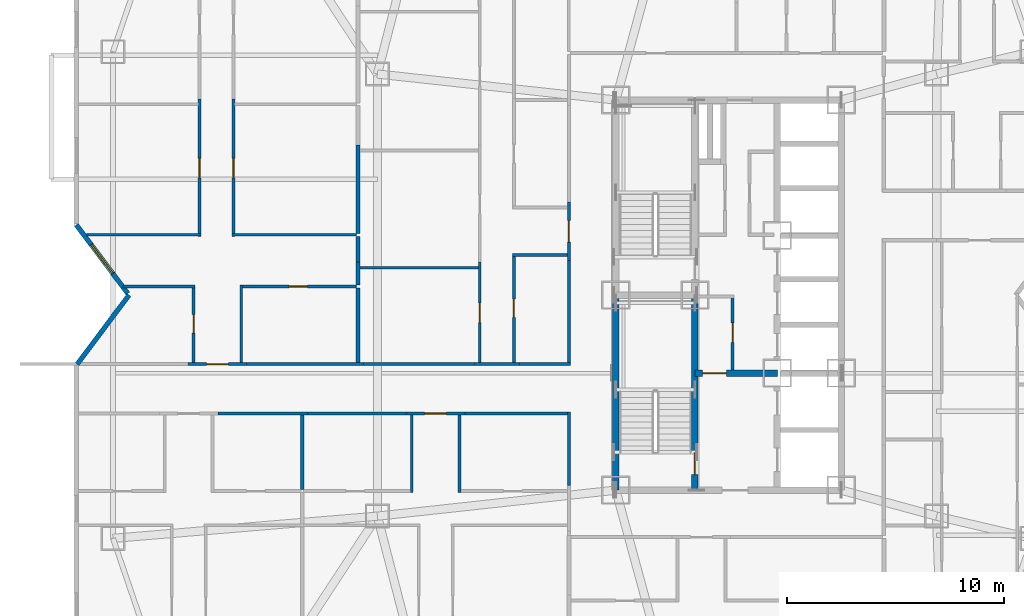
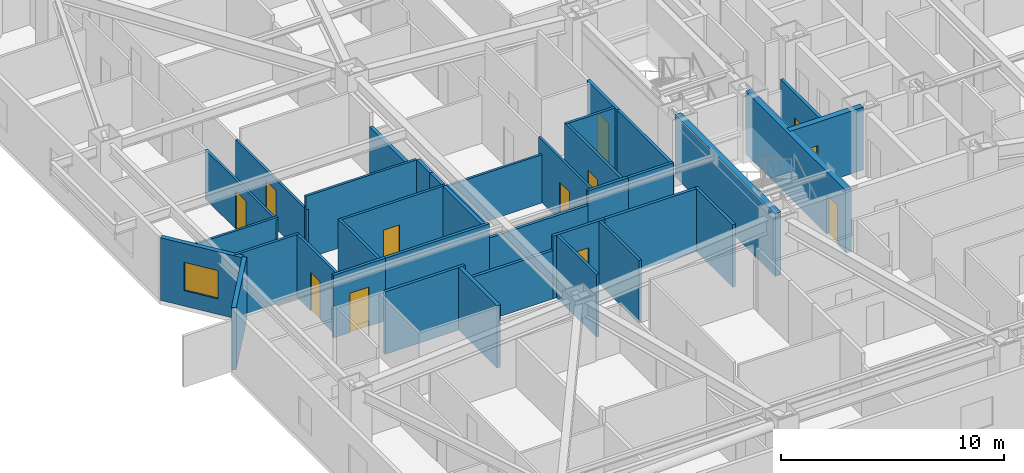
# One storey, part 8 of 14: 37 walls, 12 doors, 1 window, 13 openings.
"""IFC4 building model written with IfcOpenShell, lengths in metres."""

from ifc_helpers import new_model, si_unit, direction, frame, frame_2d, origin, place, context, subcontext, project, spatial, rectangle, extrude, material, layer, layer_set, type_object, element, fill, save


model = new_model("IFC4")

# Units and contexts
model_context = context("Model", 3, precision=1e-05, world=origin(), true_north=direction((0.0, 1.0)))
body_context = subcontext(model_context, "Body", "Model", "MODEL_VIEW")
ifc_project = project(units=[si_unit("LENGTHUNIT", "METRE"), si_unit("AREAUNIT", "SQUARE_METRE"), si_unit("VOLUMEUNIT", "CUBIC_METRE"), si_unit("PLANEANGLEUNIT", "RADIAN"), si_unit("MASSUNIT", "GRAM", prefix="KILO")], contexts=[model_context])

# Site, building, storey
site_placement = place(None, origin())
site = spatial("IfcSite", under=ifc_project, at=site_placement, CompositionType="ELEMENT")
building_placement = place(site_placement, origin())
building = spatial("IfcBuilding", under=site, at=building_placement, Name="Khamvora Tower", CompositionType="ELEMENT")
storey_placement = place(building_placement, frame((0.0, 0.0, 51.550048828125)))
storey = spatial("IfcBuildingStorey", under=building, at=storey_placement, Name="L12", CompositionType="ELEMENT", Elevation=51.550048828125)

# Wall
ifc_material_1 = material(Name="Concrete C50/60", Category="concrete")
ifc_layer_1 = layer(ifc_material_1, 0.300048828125)
ifc_layer_set_1 = layer_set([ifc_layer_1], Name="Concrete C50/60")
wall_type_1 = type_object("IfcWallType", Name="WAL-CORE-300", PredefinedType="SHEAR", material=ifc_layer_set_1)
wall_1_placement = place(storey_placement, frame((29.0, 19.0, 0.0), z_axis=(0.0, 0.0, 1.0), x_axis=(0.0, 1.0, 0.0)))
element("IfcWall", 1, at=wall_1_placement, inside=storey, type_object=wall_type_1, Name="L12 central core west south wall", PredefinedType="SHEAR", context=body_context, shape_type="SweptSolid", body=[
    extrude(rectangle(XDim=9.0, YDim=0.300048828125, at=frame_2d((4.5, 0.0))), origin(), (0.0, 0.0, 1.0), 3.429931640625),
])

# Wall, opening, door
wall_2_placement = place(storey_placement, frame((32.64990234375, 19.0, 0.0), z_axis=(0.0, 0.0, 1.0), x_axis=(0.0, 1.0, 0.0)))
wall_2 = element("IfcWall", 2, at=wall_2_placement, inside=storey, type_object=wall_type_1, Name="L12 central core stair south spine wall", PredefinedType="SHEAR", context=body_context, shape_type="SweptSolid", body=[
    extrude(rectangle(XDim=9.0, YDim=0.300048828125, at=frame_2d((4.5, 0.0))), origin(), (0.0, 0.0, 1.0), 3.429931640625),
])
opening_1_placement = place(wall_2_placement, frame((0.719970703125, 0.0, 0.0)))
opening_1 = element("IfcOpeningElement", 3, at=opening_1_placement, cuts=wall_2, Name="Opening D-ST1", PredefinedType="OPENING", context=body_context, shape_type="SweptSolid", body=[
    extrude(rectangle(XDim=1.0, YDim=2.14990234375, at=frame_2d((0.5, 1.074951171875))), frame((0.0, 0.159912109375, 0.0), z_axis=(0.0, -1.0, 0.0), x_axis=(1.0, 0.0, 0.0)), (0.0, 0.0, 1.0), 0.320068359375),
])
ifc_material_2 = material(Name="Powder-Coated Steel and Hardwood Leaf", Category="steel")
door_type_1 = type_object("IfcDoorType", Name="DOR-STAIR-1000", OperationType="NOTDEFINED", PredefinedType="DOOR", material=ifc_material_2)
door_1_placement = place(opening_1_placement, origin())
door_1 = element("IfcDoor", 4, at=door_1_placement, inside=storey, type_object=door_type_1, Name="L12 exit stair ST-01 fire door", OperationType="SINGLE_SWING_RIGHT", OverallHeight=2.14990234375, OverallWidth=1.0, PredefinedType="DOOR", context=body_context, shape_type="SweptSolid", body=[
    extrude(rectangle(XDim=1.0, YDim=2.14990234375, at=frame_2d((0.5, 1.074951171875))), frame((0.0, 0.02490234375, 0.0), z_axis=(0.0, -1.0, 0.0), x_axis=(1.0, 0.0, 0.0)), (0.0, 0.0, 1.0), 0.050048828125),
])
fill(opening_1, door_1)

wall_3_placement = place(storey_placement, frame((32.64990234375, 24.39990234375, 0.0), z_axis=(0.0, 0.0, 1.0), x_axis=(1.0, 0.0, 0.0)))
wall_3 = element("IfcWall", 5, at=wall_3_placement, inside=storey, type_object=wall_type_1, Name="L12 central core firefighting lobby north wall", PredefinedType="SHEAR", context=body_context, shape_type="SweptSolid", body=[
    extrude(rectangle(XDim=3.800048828125, YDim=0.300048828125, at=frame_2d((1.89990234375, 0.0))), origin(), (0.0, 0.0, 1.0), 3.429931640625),
])
opening_2_placement = place(wall_3_placement, frame((0.35009765625, 0.0, 0.0)))
opening_2 = element("IfcOpeningElement", 6, at=opening_2_placement, cuts=wall_3, Name="Opening D-FF1", PredefinedType="OPENING", context=body_context, shape_type="SweptSolid", body=[
    extrude(rectangle(XDim=1.10009765625, YDim=2.14990234375, at=frame_2d((0.550048828125, 1.074951171875))), frame((0.0, 0.159912109375, 0.0), z_axis=(0.0, -1.0, 0.0), x_axis=(1.0, 0.0, 0.0)), (0.0, 0.0, 1.0), 0.320068359375),
])
door_type_2 = type_object("IfcDoorType", Name="DOR-FFLOB-1100", OperationType="NOTDEFINED", PredefinedType="DOOR", material=ifc_material_2)
door_2_placement = place(opening_2_placement, origin())
door_2 = element("IfcDoor", 7, at=door_2_placement, inside=storey, type_object=door_type_2, Name="L12 firefighting lobby smoke-seal fire door", OperationType="SINGLE_SWING_LEFT", OverallHeight=2.14990234375, OverallWidth=1.10009765625, PredefinedType="DOOR", context=body_context, shape_type="SweptSolid", body=[
    extrude(rectangle(XDim=1.10009765625, YDim=2.14990234375, at=frame_2d((0.550048828125, 1.074951171875))), frame((0.0, 0.02490234375, 0.0), z_axis=(0.0, -1.0, 0.0), x_axis=(1.0, 0.0, 0.0)), (0.0, 0.0, 1.0), 0.050048828125),
])
fill(opening_2, door_2)

ifc_material_3 = material(Name="Fire-Rated Drywall and Steel Stud", Category="steel")
ifc_layer_2 = layer(ifc_material_3, 0.14990234375)
ifc_layer_set_2 = layer_set([ifc_layer_2], Name="Fire-Rated Drywall and Steel Stud")
wall_type_2 = type_object("IfcWallType", Name="WAL-CORR-150", PredefinedType="STANDARD", material=ifc_layer_set_2)
wall_4_placement = place(storey_placement, frame((34.385009765625, 24.5439453125, 0.0), z_axis=(0.0, 0.0, 1.0), x_axis=(0.0, 1.0, 0.0)))
wall_4 = element("IfcWall", 8, at=wall_4_placement, inside=storey, type_object=wall_type_2, Name="L12 interior partition wall 006", PredefinedType="STANDARD", context=body_context, shape_type="SweptSolid", body=[
    extrude(rectangle(XDim=3.4560546875, YDim=0.14990234375, at=frame_2d((1.72802734375, 0.0))), origin(), (0.0, 0.0, 1.0), 3.429931640625),
])
opening_3_placement = place(wall_4_placement, frame((1.278076171875, 0.0, 0.0)))
opening_3 = element("IfcOpeningElement", 9, at=opening_3_placement, cuts=wall_4, Name="Opening D-RM1", PredefinedType="OPENING", context=body_context, shape_type="SweptSolid", body=[
    extrude(rectangle(XDim=0.89990234375, YDim=2.10009765625, at=frame_2d((0.449951171875, 1.050048828125))), frame((0.0, 0.0849609375, 0.0), z_axis=(0.0, -1.0, 0.0), x_axis=(1.0, 0.0, 0.0)), (0.0, 0.0, 1.0), 0.169921875),
])
door_type_3 = type_object("IfcDoorType", Name="DOR-ROOM-900", OperationType="NOTDEFINED", PredefinedType="DOOR", material=ifc_material_2)
door_3_placement = place(opening_3_placement, origin())
door_3 = element("IfcDoor", 10, at=door_3_placement, inside=storey, type_object=door_type_3, Name="L12 interior door PLL-CS3", OperationType="SINGLE_SWING_RIGHT", OverallHeight=2.10009765625, OverallWidth=0.89990234375, PredefinedType="DOOR", context=body_context, shape_type="SweptSolid", body=[
    extrude(rectangle(XDim=0.89990234375, YDim=2.10009765625, at=frame_2d((0.449951171875, 1.050048828125))), frame((0.0, 0.02490234375, 0.0), z_axis=(0.0, -1.0, 0.0), x_axis=(1.0, 0.0, 0.0)), (0.0, 0.0, 1.0), 0.050048828125),
])
fill(opening_3, door_3)

# Wall
wall_5_placement = place(storey_placement, frame((14.782958984375, 22.534912109375, 0.0), z_axis=(0.0, 0.0, 1.0), x_axis=(-1.0, 0.0, 0.0)))
element("IfcWall", 11, at=wall_5_placement, inside=storey, type_object=wall_type_2, Name="L12 interior partition wall 010", PredefinedType="STANDARD", context=body_context, shape_type="SweptSolid", body=[
    extrude(rectangle(XDim=4.14501953125, YDim=0.14990234375, at=frame_2d((2.072509765625, 0.0))), origin(), (0.0, 0.0, 1.0), 3.429931640625),
])

# Wall, opening, door
wall_6_placement = place(storey_placement, frame((22.032958984375, 22.534912109375, 0.0), z_axis=(0.0, 0.0, 1.0), x_axis=(-1.0, 0.0, 0.0)))
wall_6 = element("IfcWall", 12, at=wall_6_placement, inside=storey, type_object=wall_type_2, Name="L12 interior partition wall 013", PredefinedType="STANDARD", context=body_context, shape_type="SweptSolid", body=[
    extrude(rectangle(XDim=2.697998046875, YDim=0.14990234375, at=frame_2d((1.34912109375, 0.0))), origin(), (0.0, 0.0, 1.0), 3.429931640625),
])
opening_4_placement = place(wall_6_placement, frame((0.84912109375, 0.0, 0.0)))
opening_4 = element("IfcOpeningElement", 13, at=opening_4_placement, cuts=wall_6, Name="Opening D-U1", PredefinedType="OPENING", context=body_context, shape_type="SweptSolid", body=[
    extrude(rectangle(XDim=1.0, YDim=2.14990234375, at=frame_2d((0.5, 1.074951171875))), frame((0.0, 0.0849609375, 0.0), z_axis=(0.0, -1.0, 0.0), x_axis=(1.0, 0.0, 0.0)), (0.0, 0.0, 1.0), 0.169921875),
])
door_type_4 = type_object("IfcDoorType", Name="DOR-UNIT-1000", OperationType="NOTDEFINED", PredefinedType="DOOR", material=ifc_material_2)
door_4_placement = place(opening_4_placement, origin())
door_4 = element("IfcDoor", 14, at=door_4_placement, inside=storey, type_object=door_type_4, Name="L12 interior door COR-12WA2H", OperationType="SINGLE_SWING_LEFT", OverallHeight=2.14990234375, OverallWidth=1.0, PredefinedType="DOOR", context=body_context, shape_type="SweptSolid", body=[
    extrude(rectangle(XDim=1.0, YDim=2.14990234375, at=frame_2d((0.5, 1.074951171875))), frame((0.0, 0.02490234375, 0.0), z_axis=(0.0, -1.0, 0.0), x_axis=(1.0, 0.0, 0.0)), (0.0, 0.0, 1.0), 0.050048828125),
])
fill(opening_4, door_4)

# Walls
wall_7_placement = place(storey_placement, frame((26.8349609375, 19.2041015625, 0.0), z_axis=(0.0, 0.0, 1.0), x_axis=(0.0, 1.0, 0.0)))
element("IfcWall", 15, at=wall_7_placement, inside=storey, type_object=wall_type_2, Name="L12 interior partition wall 014", PredefinedType="STANDARD", context=body_context, shape_type="SweptSolid", body=[
    extrude(rectangle(XDim=3.39599609375, YDim=0.14990234375, at=frame_2d((1.697998046875, 0.0))), origin(), (0.0, 0.0, 1.0), 3.429931640625),
])
wall_8_placement = place(storey_placement, frame((26.89794921875, 22.534912109375, 0.0), z_axis=(0.0, 0.0, 1.0), x_axis=(-1.0, 0.0, 0.0)))
element("IfcWall", 16, at=wall_8_placement, inside=storey, type_object=wall_type_2, Name="L12 interior partition wall 015", PredefinedType="STANDARD", context=body_context, shape_type="SweptSolid", body=[
    extrude(rectangle(XDim=4.864990234375, YDim=0.14990234375, at=frame_2d((2.4326171875, 0.0))), origin(), (0.0, 0.0, 1.0), 3.429931640625),
])
wall_9_placement = place(storey_placement, frame((19.3349609375, 22.534912109375, 0.0), z_axis=(0.0, 0.0, 1.0), x_axis=(-1.0, 0.0, 0.0)))
element("IfcWall", 17, at=wall_9_placement, inside=storey, type_object=wall_type_2, Name="L12 interior partition wall 016", PredefinedType="STANDARD", context=body_context, shape_type="SweptSolid", body=[
    extrude(rectangle(XDim=4.552001953125, YDim=0.14990234375, at=frame_2d((2.27587890625, 0.0))), origin(), (0.0, 0.0, 1.0), 2.64697265625),
])

# Wall, opening, door
wall_10_placement = place(storey_placement, frame((9.27001953125, 24.81494140625, 0.0), z_axis=(0.0, 0.0, 1.0), x_axis=(1.0, 0.0, 0.0)))
wall_10 = element("IfcWall", 18, at=wall_10_placement, inside=storey, type_object=wall_type_2, Name="L12 interior partition wall 018", PredefinedType="STANDARD", context=body_context, shape_type="SweptSolid", body=[
    extrude(rectangle(XDim=2.697998046875, YDim=0.14990234375, at=frame_2d((1.34912109375, 0.0))), origin(), (0.0, 0.0, 1.0), 3.429931640625),
])
opening_5_placement = place(wall_10_placement, frame((0.84912109375, 0.0, 0.0)))
opening_5 = element("IfcOpeningElement", 19, at=opening_5_placement, cuts=wall_10, Name="Opening D-U1", PredefinedType="OPENING", context=body_context, shape_type="SweptSolid", body=[
    extrude(rectangle(XDim=1.0, YDim=2.14990234375, at=frame_2d((0.5, 1.074951171875))), frame((0.0, 0.0849609375, 0.0), z_axis=(0.0, -1.0, 0.0), x_axis=(1.0, 0.0, 0.0)), (0.0, 0.0, 1.0), 0.169921875),
])
door_5_placement = place(opening_5_placement, origin())
door_5 = element("IfcDoor", 20, at=door_5_placement, inside=storey, type_object=door_type_4, Name="L12 interior door COR-12WBH", OperationType="SINGLE_SWING_RIGHT", OverallHeight=2.14990234375, OverallWidth=1.0, PredefinedType="DOOR", context=body_context, shape_type="SweptSolid", body=[
    extrude(rectangle(XDim=1.0, YDim=2.14990234375, at=frame_2d((0.5, 1.074951171875))), frame((0.0, 0.02490234375, 0.0), z_axis=(0.0, -1.0, 0.0), x_axis=(1.0, 0.0, 0.0)), (0.0, 0.0, 1.0), 0.050048828125),
])
fill(opening_5, door_5)

# Wall
wall_11_placement = place(storey_placement, frame((11.968017578125, 24.81494140625, 0.0), z_axis=(0.0, 0.0, 1.0), x_axis=(1.0, 0.0, 0.0)))
element("IfcWall", 21, at=wall_11_placement, inside=storey, type_object=wall_type_2, Name="L12 interior partition wall 020", PredefinedType="STANDARD", context=body_context, shape_type="SweptSolid", body=[
    extrude(rectangle(XDim=5.385986328125, YDim=0.14990234375, at=frame_2d((2.69287109375, 0.0))), origin(), (0.0, 0.0, 1.0), 3.429931640625),
])

# Wall, opening, door
wall_12_placement = place(storey_placement, frame((26.8349609375, 29.592041015625, 0.0), z_axis=(0.0, 0.0, 1.0), x_axis=(0.0, 1.0, 0.0)))
wall_12 = element("IfcWall", 22, at=wall_12_placement, inside=storey, type_object=wall_type_2, Name="L12 interior partition wall 022", PredefinedType="STANDARD", context=body_context, shape_type="SweptSolid", body=[
    extrude(rectangle(XDim=2.697998046875, YDim=0.14990234375, at=frame_2d((1.34912109375, 0.0))), origin(), (0.0, 0.0, 1.0), 3.429931640625),
])
opening_6_placement = place(wall_12_placement, frame((0.84912109375, 0.0, 0.0)))
opening_6 = element("IfcOpeningElement", 23, at=opening_6_placement, cuts=wall_12, Name="Opening D-U1", PredefinedType="OPENING", context=body_context, shape_type="SweptSolid", body=[
    extrude(rectangle(XDim=1.0, YDim=2.14990234375, at=frame_2d((0.5, 1.074951171875))), frame((0.0, 0.0849609375, 0.0), z_axis=(0.0, -1.0, 0.0), x_axis=(1.0, 0.0, 0.0)), (0.0, 0.0, 1.0), 0.169921875),
])
door_6_placement = place(opening_6_placement, origin())
door_6 = element("IfcDoor", 24, at=door_6_placement, inside=storey, type_object=door_type_4, Name="L12 interior door COR-12WCH", OperationType="SINGLE_SWING_LEFT", OverallHeight=2.14990234375, OverallWidth=1.0, PredefinedType="DOOR", context=body_context, shape_type="SweptSolid", body=[
    extrude(rectangle(XDim=1.0, YDim=2.14990234375, at=frame_2d((0.5, 1.074951171875))), frame((0.0, 0.02490234375, 0.0), z_axis=(0.0, -1.0, 0.0), x_axis=(1.0, 0.0, 0.0)), (0.0, 0.0, 1.0), 0.050048828125),
])
fill(opening_6, door_6)

# Walls
wall_13_placement = place(storey_placement, frame((22.468017578125, 24.81494140625, 0.0), z_axis=(0.0, 0.0, 1.0), x_axis=(1.0, 0.0, 0.0)))
element("IfcWall", 25, at=wall_13_placement, inside=storey, type_object=wall_type_2, Name="L12 interior partition wall 023", PredefinedType="STANDARD", context=body_context, shape_type="SweptSolid", body=[
    extrude(rectangle(XDim=2.077880859375, YDim=0.14990234375, at=frame_2d((1.0390625, 0.0))), origin(), (0.0, 0.0, 1.0), 3.429931640625),
])
wall_14_placement = place(storey_placement, frame((26.8349609375, 24.75, 0.0), z_axis=(0.0, 0.0, 1.0), x_axis=(0.0, 1.0, 0.0)))
element("IfcWall", 26, at=wall_14_placement, inside=storey, type_object=wall_type_2, Name="L12 interior partition wall 025", PredefinedType="STANDARD", context=body_context, shape_type="SweptSolid", body=[
    extrude(rectangle(XDim=4.842041015625, YDim=0.14990234375, at=frame_2d((2.4208984375, 0.0))), origin(), (0.0, 0.0, 1.0), 3.429931640625),
])
wall_15_placement = place(storey_placement, frame((24.5458984375, 24.81494140625, 0.0), z_axis=(0.0, 0.0, 1.0), x_axis=(1.0, 0.0, 0.0)))
element("IfcWall", 27, at=wall_15_placement, inside=storey, type_object=wall_type_2, Name="L12 interior partition wall 026", PredefinedType="STANDARD", context=body_context, shape_type="SweptSolid", body=[
    extrude(rectangle(XDim=2.35205078125, YDim=0.14990234375, at=frame_2d((1.176025390625, 0.0))), origin(), (0.0, 0.0, 1.0), 3.429931640625),
])
wall_16_placement = place(storey_placement, frame((17.35400390625, 24.81494140625, 0.0), z_axis=(0.0, 0.0, 1.0), x_axis=(1.0, 0.0, 0.0)))
element("IfcWall", 28, at=wall_16_placement, inside=storey, type_object=wall_type_2, Name="L12 interior partition wall 027", PredefinedType="STANDARD", context=body_context, shape_type="SweptSolid", body=[
    extrude(rectangle(XDim=5.114013671875, YDim=0.14990234375, at=frame_2d((2.55712890625, 0.0))), origin(), (0.0, 0.0, 1.0), 2.64697265625),
])
ifc_material_4 = material(Name="Acoustic Double-Stud Fire Wall", Category="gypsum")
ifc_layer_3 = layer(ifc_material_4, 0.179931640625)
ifc_layer_set_3 = layer_set([ifc_layer_3], Name="Acoustic Double-Stud Fire Wall")
wall_type_3 = type_object("IfcWallType", Name="WAL-CORR-180", PredefinedType="STANDARD", material=ifc_layer_set_3)
wall_17_placement = place(storey_placement, frame((14.533935546875, 22.469970703125, 0.0), z_axis=(0.0, 0.0, 1.0), x_axis=(0.0, -1.0, 0.0)))
element("IfcWall", 29, at=wall_17_placement, inside=storey, type_object=wall_type_3, Name="L12 interior partition wall 059", PredefinedType="STANDARD", context=body_context, shape_type="SweptSolid", body=[
    extrude(rectangle(XDim=3.449951171875, YDim=0.179931640625, at=frame_2d((1.72509765625, 0.0))), origin(), (0.0, 0.0, 1.0), 3.429931640625),
])
wall_18_placement = place(storey_placement, frame((17.10498046875, 29.51904296875, 0.0), z_axis=(0.0, 0.0, 1.0), x_axis=(0.0, -1.0, 0.0)))
element("IfcWall", 30, at=wall_18_placement, inside=storey, type_object=wall_type_3, Name="L12 interior partition wall 096", PredefinedType="STANDARD", context=body_context, shape_type="SweptSolid", body=[
    extrude(rectangle(XDim=1.05908203125, YDim=0.179931640625, at=frame_2d((0.529541015625, 0.0))), origin(), (0.0, 0.0, 1.0), 3.429931640625),
])
wall_19_placement = place(storey_placement, frame((17.10498046875, 30.7099609375, 0.0), z_axis=(0.0, 0.0, 1.0), x_axis=(0.0, -1.0, 0.0)))
element("IfcWall", 31, at=wall_19_placement, inside=storey, type_object=wall_type_3, Name="L12 interior partition wall 097", PredefinedType="STANDARD", context=body_context, shape_type="SweptSolid", body=[
    extrude(rectangle(XDim=1.19091796875, YDim=0.179931640625, at=frame_2d((0.595458984375, 0.0))), origin(), (0.0, 0.0, 1.0), 3.429931640625),
])
wall_20_placement = place(storey_placement, frame((17.10498046875, 28.330078125, 0.0), z_axis=(0.0, 0.0, 1.0), x_axis=(0.0, -1.0, 0.0)))
element("IfcWall", 32, at=wall_20_placement, inside=storey, type_object=wall_type_3, Name="L12 interior partition wall 098", PredefinedType="STANDARD", context=body_context, shape_type="SweptSolid", body=[
    extrude(rectangle(XDim=3.447998046875, YDim=0.179931640625, at=frame_2d((1.72412109375, 0.0))), origin(), (0.0, 0.0, 1.0), 3.429931640625),
])
wall_21_placement = place(storey_placement, frame((17.10498046875, 34.9189453125, 0.0), z_axis=(0.0, 0.0, 1.0), x_axis=(0.0, -1.0, 0.0)))
element("IfcWall", 33, at=wall_21_placement, inside=storey, type_object=wall_type_3, Name="L12 interior partition wall 103", PredefinedType="STANDARD", context=body_context, shape_type="SweptSolid", body=[
    extrude(rectangle(XDim=4.078857421875, YDim=0.179931640625, at=frame_2d((2.03955078125, 0.0))), origin(), (0.0, 0.0, 1.0), 2.68701171875),
])
ifc_material_5 = material(Name="Precast concrete C40/50", Category="concrete")
ifc_layer_4 = layer(ifc_material_5, 0.219970703125)
ifc_layer_set_4 = layer_set([ifc_layer_4], Name="Precast concrete C40/50")
wall_type_4 = type_object("IfcWallType", Name="WAL-EXT-220", PredefinedType="STANDARD", material=ifc_layer_set_4)
wall_22_placement = place(storey_placement, frame((4.14501953125, 24.80908203125, 0.0), z_axis=(0.0, 0.0, 1.0), x_axis=(0.599823674734, 0.800132213592, 0.0)))
element("IfcWall", 34, at=wall_22_placement, inside=storey, type_object=wall_type_4, Name="L12 exterior facade wall 03.1", PredefinedType="STANDARD", context=body_context, shape_type="SweptSolid", body=[
    extrude(rectangle(XDim=3.988037109375, YDim=0.219970703125, at=frame_2d((1.994140625, 0.0))), origin(), (0.0, 0.0, 1.0), 3.429931640625),
])

# Wall, opening, window
wall_23_placement = place(storey_placement, frame((6.47998046875, 28.076904296875, 0.0), z_axis=(0.0, 0.0, 1.0), x_axis=(-0.599960442794, 0.800029666377, 0.0)))
wall_23 = element("IfcWall", 35, at=wall_23_placement, inside=storey, type_object=wall_type_4, Name="L12 exterior facade wall 04.1", PredefinedType="STANDARD", context=body_context, shape_type="SweptSolid", body=[
    extrude(rectangle(XDim=3.949951171875, YDim=0.219970703125, at=frame_2d((1.97509765625, 0.0))), origin(), (0.0, 0.0, 1.0), 3.429931640625),
])
opening_7_placement = place(wall_23_placement, frame((1.14990234375, 0.0, 0.85009765625)))
opening_7 = element("IfcOpeningElement", 36, at=opening_7_placement, cuts=wall_23, Name="Opening WN-06", PredefinedType="OPENING", context=body_context, shape_type="SweptSolid", body=[
    extrude(rectangle(XDim=1.64990234375, YDim=1.550048828125, at=frame_2d((0.824951171875, 0.77490234375))), frame((0.0, 0.119873046875, 0.0), z_axis=(0.0, -1.0, 0.0), x_axis=(1.0, 0.0, 0.0)), (0.0, 0.0, 1.0), 0.239990234375),
])
ifc_material_6 = material(Name="Low-E Laminated Double Glazing", Category="glass")
window_type = type_object("IfcWindowType", Name="WIN-VIS-1650x1550", PartitioningType="SINGLE_PANEL", PredefinedType="WINDOW", material=ifc_material_6)
window_placement = place(opening_7_placement, origin())
window = element("IfcWindow", 37, at=window_placement, inside=storey, type_object=window_type, Name="L12 vision window 04.1.01", OverallHeight=1.550048828125, OverallWidth=1.64990234375, PartitioningType="SINGLE_PANEL", PredefinedType="WINDOW", context=body_context, shape_type="SweptSolid", body=[
    extrude(rectangle(XDim=1.64990234375, YDim=1.550048828125, at=frame_2d((0.824951171875, 0.77490234375))), frame((0.0, 0.030029296875, 0.0), z_axis=(0.0, -1.0, 0.0), x_axis=(1.0, 0.0, 0.0)), (0.0, 0.0, 1.0), 0.06005859375),
])
fill(opening_7, window)

# Wall, opening, door
ifc_material_7 = material(Name="Gypsum Plasterboard Partition", Category="gypsum")
ifc_layer_5 = layer(ifc_material_7, 0.1201171875)
ifc_layer_set_5 = layer_set([ifc_layer_5], Name="Gypsum Plasterboard Partition")
wall_type_5 = type_object("IfcWallType", Name="WAL-PART-120", PredefinedType="PARTITIONING", material=ifc_layer_set_5)
wall_24_placement = place(storey_placement, frame((9.7900390625, 30.7099609375, 0.0), z_axis=(0.0, 0.0, 1.0), x_axis=(0.0, 1.0, 0.0)))
wall_24 = element("IfcWall", 38, at=wall_24_placement, inside=storey, type_object=wall_type_5, Name="L12 interior partition wall 086", PredefinedType="PARTITIONING", context=body_context, shape_type="SweptSolid", body=[
    extrude(rectangle(XDim=6.34814453125, YDim=0.1201171875, at=frame_2d((3.174072265625, 0.0))), origin(), (0.0, 0.0, 1.0), 2.68701171875),
])
opening_8_placement = place(wall_24_placement, frame((2.701904296875, 0.0, 0.0)))
opening_8 = element("IfcOpeningElement", 39, at=opening_8_placement, cuts=wall_24, Name="Opening D-RM1", PredefinedType="OPENING", context=body_context, shape_type="SweptSolid", body=[
    extrude(rectangle(XDim=0.89990234375, YDim=2.10009765625, at=frame_2d((0.449951171875, 1.050048828125))), frame((0.0, 0.070068359375, 0.0), z_axis=(0.0, -1.0, 0.0), x_axis=(1.0, 0.0, 0.0)), (0.0, 0.0, 1.0), 0.14013671875),
])
door_7_placement = place(opening_8_placement, origin())
door_7 = element("IfcDoor", 40, at=door_7_placement, inside=storey, type_object=door_type_3, Name="L12 interior door 12WBH-12WBL", OperationType="SINGLE_SWING_LEFT", OverallHeight=2.10009765625, OverallWidth=0.89990234375, PredefinedType="DOOR", context=body_context, shape_type="SweptSolid", body=[
    extrude(rectangle(XDim=0.89990234375, YDim=2.10009765625, at=frame_2d((0.449951171875, 1.050048828125))), frame((0.0, 0.02490234375, 0.0), z_axis=(0.0, -1.0, 0.0), x_axis=(1.0, 0.0, 0.0)), (0.0, 0.0, 1.0), 0.050048828125),
])
fill(opening_8, door_7)

# Wall
wall_25_placement = place(storey_placement, frame((4.568115234375, 30.77490234375, 0.0), z_axis=(0.0, 0.0, 1.0), x_axis=(1.0, 0.0, 0.0)))
element("IfcWall", 41, at=wall_25_placement, inside=storey, type_object=wall_type_5, Name="L12 interior partition wall 087", PredefinedType="PARTITIONING", context=body_context, shape_type="SweptSolid", body=[
    extrude(rectangle(XDim=5.286865234375, YDim=0.1201171875, at=frame_2d((2.6435546875, 0.0))), origin(), (0.0, 0.0, 1.0), 2.802978515625),
])

# Wall, opening, door
wall_26_placement = place(storey_placement, frame((11.360107421875, 37.05810546875, 0.0), z_axis=(0.0, 0.0, 1.0), x_axis=(0.0, -1.0, 0.0)))
wall_26 = element("IfcWall", 42, at=wall_26_placement, inside=storey, type_object=wall_type_5, Name="L12 interior partition wall 091", PredefinedType="PARTITIONING", context=body_context, shape_type="SweptSolid", body=[
    extrude(rectangle(XDim=6.34814453125, YDim=0.1201171875, at=frame_2d((3.174072265625, 0.0))), origin(), (0.0, 0.0, 1.0), 2.68701171875),
])
opening_9_placement = place(wall_26_placement, frame((2.7451171875, 0.0, 0.0)))
opening_9 = element("IfcOpeningElement", 43, at=opening_9_placement, cuts=wall_26, Name="Opening D-RM1", PredefinedType="OPENING", context=body_context, shape_type="SweptSolid", body=[
    extrude(rectangle(XDim=0.89990234375, YDim=2.10009765625, at=frame_2d((0.449951171875, 1.050048828125))), frame((0.0, 0.070068359375, 0.0), z_axis=(0.0, -1.0, 0.0), x_axis=(1.0, 0.0, 0.0)), (0.0, 0.0, 1.0), 0.14013671875),
])
door_8_placement = place(opening_9_placement, origin())
door_8 = element("IfcDoor", 44, at=door_8_placement, inside=storey, type_object=door_type_3, Name="L12 interior door 12WBH-12WBR5", OperationType="SINGLE_SWING_RIGHT", OverallHeight=2.10009765625, OverallWidth=0.89990234375, PredefinedType="DOOR", context=body_context, shape_type="SweptSolid", body=[
    extrude(rectangle(XDim=0.89990234375, YDim=2.10009765625, at=frame_2d((0.449951171875, 1.050048828125))), frame((0.0, 0.02490234375, 0.0), z_axis=(0.0, -1.0, 0.0), x_axis=(1.0, 0.0, 0.0)), (0.0, 0.0, 1.0), 0.050048828125),
])
fill(opening_9, door_8)

# Wall
wall_27_placement = place(storey_placement, frame((11.294921875, 30.77490234375, 0.0), z_axis=(0.0, 0.0, 1.0), x_axis=(1.0, 0.0, 0.0)))
element("IfcWall", 45, at=wall_27_placement, inside=storey, type_object=wall_type_5, Name="L12 interior partition wall 092", PredefinedType="PARTITIONING", context=body_context, shape_type="SweptSolid", body=[
    extrude(rectangle(XDim=5.7451171875, YDim=0.1201171875, at=frame_2d((2.87255859375, 0.0))), origin(), (0.0, 0.0, 1.0), 3.429931640625),
])

# Wall, opening, door
wall_28_placement = place(storey_placement, frame((22.717041015625, 24.882080078125, 0.0), z_axis=(0.0, 0.0, 1.0), x_axis=(0.0, 1.0, 0.0)))
wall_28 = element("IfcWall", 46, at=wall_28_placement, inside=storey, type_object=wall_type_5, Name="L12 interior partition wall 118", PredefinedType="PARTITIONING", context=body_context, shape_type="SweptSolid", body=[
    extrude(rectangle(XDim=4.636962890625, YDim=0.1201171875, at=frame_2d((2.318359375, 0.0))), origin(), (0.0, 0.0, 1.0), 3.429931640625),
])
opening_10_placement = place(wall_28_placement, frame((1.846923828125, 0.0, 0.0)))
opening_10 = element("IfcOpeningElement", 47, at=opening_10_placement, cuts=wall_28, Name="Opening D-RM1", PredefinedType="OPENING", context=body_context, shape_type="SweptSolid", body=[
    extrude(rectangle(XDim=0.89990234375, YDim=2.10009765625, at=frame_2d((0.449951171875, 1.050048828125))), frame((0.0, 0.070068359375, 0.0), z_axis=(0.0, -1.0, 0.0), x_axis=(1.0, 0.0, 0.0)), (0.0, 0.0, 1.0), 0.14013671875),
])
door_9_placement = place(opening_10_placement, origin())
door_9 = element("IfcDoor", 48, at=door_9_placement, inside=storey, type_object=door_type_3, Name="L12 interior door 12WCH-12WCL", OperationType="SINGLE_SWING_LEFT", OverallHeight=2.10009765625, OverallWidth=0.89990234375, PredefinedType="DOOR", context=body_context, shape_type="SweptSolid", body=[
    extrude(rectangle(XDim=0.89990234375, YDim=2.10009765625, at=frame_2d((0.449951171875, 1.050048828125))), frame((0.0, 0.02490234375, 0.0), z_axis=(0.0, -1.0, 0.0), x_axis=(1.0, 0.0, 0.0)), (0.0, 0.0, 1.0), 0.050048828125),
])
fill(opening_10, door_9)

# Walls
wall_29_placement = place(storey_placement, frame((17.18701171875, 29.27001953125, 0.0), z_axis=(0.0, 0.0, 1.0), x_axis=(1.0, 0.0, 0.0)))
element("IfcWall", 49, at=wall_29_placement, inside=storey, type_object=wall_type_5, Name="L12 interior partition wall 123", PredefinedType="PARTITIONING", context=body_context, shape_type="SweptSolid", body=[
    extrude(rectangle(XDim=5.47607421875, YDim=0.1201171875, at=frame_2d((2.738037109375, 0.0))), origin(), (0.0, 0.0, 1.0), 2.64697265625),
])
ifc_material_8 = material(Name="Moisture-Resistant Plasterboard Partition", Category="gypsum")
ifc_layer_6 = layer(ifc_material_8, 0.135009765625)
ifc_layer_set_6 = layer_set([ifc_layer_6], Name="Moisture-Resistant Plasterboard Partition")
wall_type_6 = type_object("IfcWallType", Name="WAL-WET-135", PredefinedType="PARTITIONING", material=ifc_layer_set_6)
for number, where, z_axis, x_axis, name in (
    (50, (21.783935546875, 22.469970703125, 0.0), (0.0, 0.0, 1.0), (0.0, -1.0, 0.0), "L12 interior partition wall 065"),
    (51, (19.583984375, 18.889892578125, 0.0), (0.0, 0.0, 1.0), (0.0, 1.0, 0.0), "L12 interior partition wall 068"),
):
    element("IfcWall", number, at=place(storey_placement, frame(where, z_axis=z_axis, x_axis=x_axis)), inside=storey, type_object=wall_type_6, Name=name, PredefinedType="PARTITIONING", context=body_context, shape_type="SweptSolid", body=[
        extrude(rectangle(XDim=3.580078125, YDim=0.135009765625, at=frame_2d((1.7900390625, 0.0))), origin(), (0.0, 0.0, 1.0), 3.429931640625),
    ])

# Wall, opening, door
wall_30_placement = place(storey_placement, frame((9.51904296875, 24.882080078125, 0.0), z_axis=(0.0, 0.0, 1.0), x_axis=(0.0, 1.0, 0.0)))
wall_30 = element("IfcWall", 52, at=wall_30_placement, inside=storey, type_object=wall_type_6, Name="L12 interior partition wall 082", PredefinedType="PARTITIONING", context=body_context, shape_type="SweptSolid", body=[
    extrude(rectangle(XDim=3.577880859375, YDim=0.135009765625, at=frame_2d((1.7890625, 0.0))), origin(), (0.0, 0.0, 1.0), 3.429931640625),
])
opening_11_placement = place(wall_30_placement, frame((1.364013671875, 0.0, 0.0)))
opening_11 = element("IfcOpeningElement", 53, at=opening_11_placement, cuts=wall_30, Name="Opening D-WC1", PredefinedType="OPENING", context=body_context, shape_type="SweptSolid", body=[
    extrude(rectangle(XDim=0.85009765625, YDim=2.10009765625, at=frame_2d((0.425048828125, 1.050048828125))), frame((0.0, 0.077392578125, 0.0), z_axis=(0.0, -1.0, 0.0), x_axis=(1.0, 0.0, 0.0)), (0.0, 0.0, 1.0), 0.155029296875),
])
door_type_5 = type_object("IfcDoorType", Name="DOR-WET-850", OperationType="NOTDEFINED", PredefinedType="DOOR", material=ifc_material_2)
door_10_placement = place(opening_11_placement, origin())
door_10 = element("IfcDoor", 54, at=door_10_placement, inside=storey, type_object=door_type_5, Name="L12 interior door 12WBH-12WBB", OperationType="SINGLE_SWING_LEFT", OverallHeight=2.10009765625, OverallWidth=0.85009765625, PredefinedType="DOOR", context=body_context, shape_type="SweptSolid", body=[
    extrude(rectangle(XDim=0.85009765625, YDim=2.10009765625, at=frame_2d((0.425048828125, 1.050048828125))), frame((0.0, 0.02490234375, 0.0), z_axis=(0.0, -1.0, 0.0), x_axis=(1.0, 0.0, 0.0)), (0.0, 0.0, 1.0), 0.050048828125),
])
fill(opening_11, door_10)

# Wall
wall_31_placement = place(storey_placement, frame((9.583984375, 28.39501953125, 0.0), z_axis=(0.0, 0.0, 1.0), x_axis=(-1.0, 0.0, 0.0)))
element("IfcWall", 55, at=wall_31_placement, inside=storey, type_object=wall_type_6, Name="L12 interior partition wall 083", PredefinedType="PARTITIONING", context=body_context, shape_type="SweptSolid", body=[
    extrude(rectangle(XDim=3.330078125, YDim=0.135009765625, at=frame_2d((1.6650390625, 0.0))), origin(), (0.0, 0.0, 1.0), 3.429931640625),
])

# Wall, opening, door
wall_32_placement = place(storey_placement, frame((17.0400390625, 28.39501953125, 0.0), z_axis=(0.0, 0.0, 1.0), x_axis=(-1.0, 0.0, 0.0)))
wall_32 = element("IfcWall", 56, at=wall_32_placement, inside=storey, type_object=wall_type_6, Name="L12 interior partition wall 084", PredefinedType="PARTITIONING", context=body_context, shape_type="SweptSolid", body=[
    extrude(rectangle(XDim=5.385986328125, YDim=0.135009765625, at=frame_2d((2.69287109375, 0.0))), origin(), (0.0, 0.0, 1.0), 3.429931640625),
])
opening_12_placement = place(wall_32_placement, frame((2.26806640625, 0.0, 0.0)))
opening_12 = element("IfcOpeningElement", 57, at=opening_12_placement, cuts=wall_32, Name="Opening D-RM2", PredefinedType="OPENING", context=body_context, shape_type="SweptSolid", body=[
    extrude(rectangle(XDim=0.85009765625, YDim=2.10009765625, at=frame_2d((0.425048828125, 1.050048828125))), frame((0.0, 0.077392578125, 0.0), z_axis=(0.0, -1.0, 0.0), x_axis=(1.0, 0.0, 0.0)), (0.0, 0.0, 1.0), 0.155029296875),
])
door_type_6 = type_object("IfcDoorType", Name="DOR-ROOM-850", OperationType="NOTDEFINED", PredefinedType="DOOR", material=ifc_material_2)
door_11_placement = place(opening_12_placement, origin())
door_11 = element("IfcDoor", 58, at=door_11_placement, inside=storey, type_object=door_type_6, Name="L12 interior door 12WBH-12WBK", OperationType="SINGLE_SWING_RIGHT", OverallHeight=2.10009765625, OverallWidth=0.85009765625, PredefinedType="DOOR", context=body_context, shape_type="SweptSolid", body=[
    extrude(rectangle(XDim=0.85009765625, YDim=2.10009765625, at=frame_2d((0.425048828125, 1.050048828125))), frame((0.0, 0.02490234375, 0.0), z_axis=(0.0, -1.0, 0.0), x_axis=(1.0, 0.0, 0.0)), (0.0, 0.0, 1.0), 0.050048828125),
])
fill(opening_12, door_11)

# Walls
wall_33_placement = place(storey_placement, frame((11.718994140625, 28.4599609375, 0.0), z_axis=(0.0, 0.0, 1.0), x_axis=(0.0, -1.0, 0.0)))
element("IfcWall", 59, at=wall_33_placement, inside=storey, type_object=wall_type_6, Name="L12 interior partition wall 085", PredefinedType="PARTITIONING", context=body_context, shape_type="SweptSolid", body=[
    extrude(rectangle(XDim=3.577880859375, YDim=0.135009765625, at=frame_2d((1.7890625, 0.0))), origin(), (0.0, 0.0, 1.0), 3.429931640625),
])
wall_34_placement = place(storey_placement, frame((26.77001953125, 29.841064453125, 0.0), z_axis=(0.0, 0.0, 1.0), x_axis=(-1.0, 0.0, 0.0)))
element("IfcWall", 60, at=wall_34_placement, inside=storey, type_object=wall_type_6, Name="L12 interior partition wall 116", PredefinedType="PARTITIONING", context=body_context, shape_type="SweptSolid", body=[
    extrude(rectangle(XDim=2.5380859375, YDim=0.135009765625, at=frame_2d((1.26904296875, 0.0))), origin(), (0.0, 0.0, 1.0), 3.429931640625),
])

# Wall, opening, door
wall_35_placement = place(storey_placement, frame((24.297119140625, 29.906005859375, 0.0), z_axis=(0.0, 0.0, 1.0), x_axis=(0.0, -1.0, 0.0)))
wall_35 = element("IfcWall", 61, at=wall_35_placement, inside=storey, type_object=wall_type_6, Name="L12 interior partition wall 117", PredefinedType="PARTITIONING", context=body_context, shape_type="SweptSolid", body=[
    extrude(rectangle(XDim=5.02392578125, YDim=0.135009765625, at=frame_2d((2.511962890625, 0.0))), origin(), (0.0, 0.0, 1.0), 3.429931640625),
])
opening_13_placement = place(wall_35_placement, frame((2.0869140625, 0.0, 0.0)))
opening_13 = element("IfcOpeningElement", 62, at=opening_13_placement, cuts=wall_35, Name="Opening D-RM2", PredefinedType="OPENING", context=body_context, shape_type="SweptSolid", body=[
    extrude(rectangle(XDim=0.85009765625, YDim=2.10009765625, at=frame_2d((0.425048828125, 1.050048828125))), frame((0.0, 0.077392578125, 0.0), z_axis=(0.0, -1.0, 0.0), x_axis=(1.0, 0.0, 0.0)), (0.0, 0.0, 1.0), 0.155029296875),
])
door_12_placement = place(opening_13_placement, origin())
door_12 = element("IfcDoor", 63, at=door_12_placement, inside=storey, type_object=door_type_6, Name="L12 interior door 12WCH-12WCK", OperationType="SINGLE_SWING_RIGHT", OverallHeight=2.10009765625, OverallWidth=0.85009765625, PredefinedType="DOOR", context=body_context, shape_type="SweptSolid", body=[
    extrude(rectangle(XDim=0.85009765625, YDim=2.10009765625, at=frame_2d((0.425048828125, 1.050048828125))), frame((0.0, 0.02490234375, 0.0), z_axis=(0.0, -1.0, 0.0), x_axis=(1.0, 0.0, 0.0)), (0.0, 0.0, 1.0), 0.050048828125),
])
fill(opening_13, door_12)

save(model, "model.ifc")
